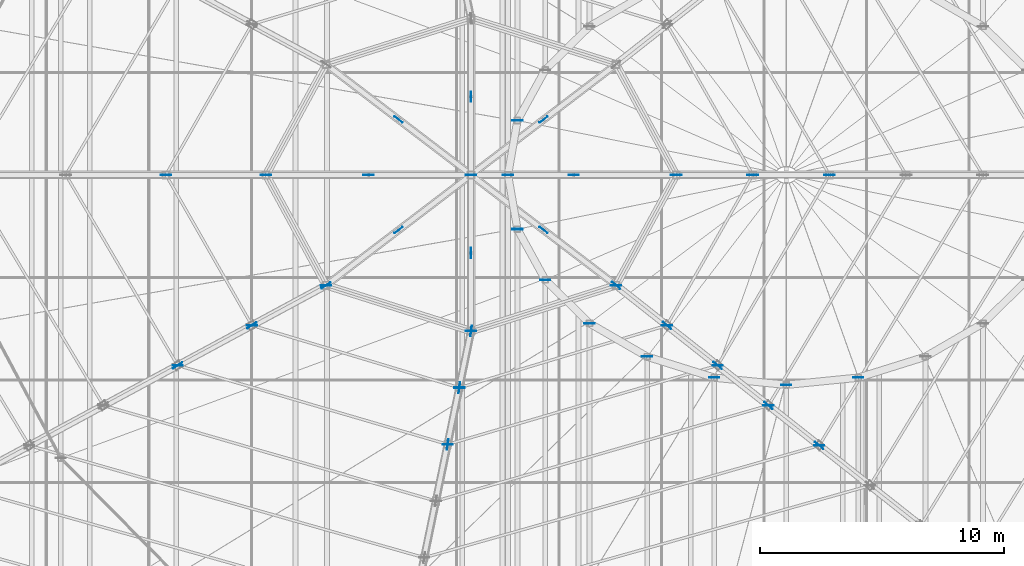
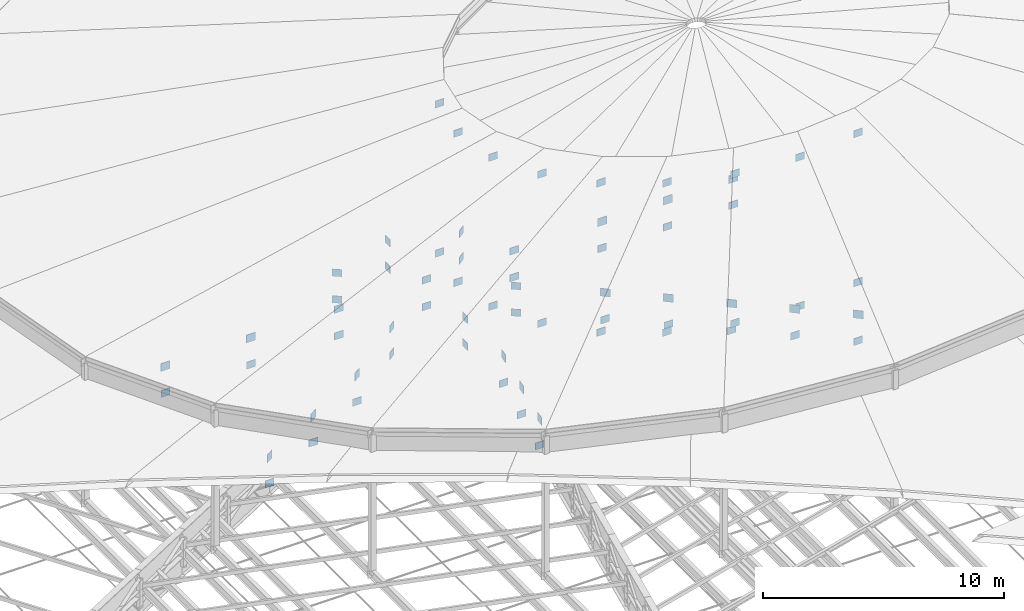
# One storey, part 167 of 184: 68 plates.
"""IFC4 building model written with IfcOpenShell, lengths in metres."""

import ifcopenshell
import ifcopenshell.guid

model = None  # the IFC model being written
_history = None  # IfcOwnerHistory: only IFC2X3 demands one
_inside = {}  # id of a spatial element -> (the spatial element, [elements in it])
_under = {}  # id of a project, library or spatial element -> (it, [spatial elements below it])
_declared = {}  # id of a project -> (the project, [libraries it declares])
_typed = {}  # id of a type object -> (the type object, [elements of that type])
_made_of = {}  # id of a material, layer set ... -> (it, [elements and type objects made of it])


def new_model(schema):
    """Start an empty IFC model of exactly this schema.

    Asked for "IFC4X3", IfcOpenShell would pick the latest addendum, in which some entities
    have other attributes; the version numbers below select the first issue.
    IFC2X3 requires an IfcOwnerHistory on every rooted entity: one is made here for all.
    """
    global model, _history
    if schema == "IFC4X3":
        model = ifcopenshell.file(schema_version=(4, 3, 0, 0))
    else:
        model = ifcopenshell.file(schema=schema)
    _inside.clear()
    _under.clear()
    _declared.clear()
    _typed.clear()
    _made_of.clear()
    _history = None
    if model.schema == "IFC2X3":
        org = make("IfcOrganization", Name="unknown")
        user = make(
            "IfcPersonAndOrganization",
            ThePerson=make("IfcPerson", FamilyName="unknown"),
            TheOrganization=org,
        )
        app = make(
            "IfcApplication",
            ApplicationDeveloper=org,
            Version="unknown",
            ApplicationFullName="unknown",
            ApplicationIdentifier="unknown",
        )
        _history = make(
            "IfcOwnerHistory",
            OwningUser=user,
            OwningApplication=app,
            ChangeAction="ADDED",
            CreationDate=0,
        )
    return model


def make(cls, **values):
    """One entity of the class cls with the attributes given. An attribute that is None is left unset."""
    return model.create_entity(
        cls, **{name: value for name, value in values.items() if value is not None}
    )


def rooted(cls, **values):
    """An entity with a GlobalId (a new one), such as an element, a storey or a relation."""
    return make(cls, GlobalId=ifcopenshell.guid.new(), OwnerHistory=_history, **values)


def si_unit(unit_type, name, prefix=None):
    """IfcSIUnit, for example si_unit("LENGTHUNIT", "METRE", prefix="MILLI")."""
    return make("IfcSIUnit", UnitType=unit_type, Prefix=prefix, Name=name)


def assignment(units):
    """IfcUnitAssignment: the units of a project."""
    return None if units is None else make("IfcUnitAssignment", Units=units)


def point(xyz):
    """IfcCartesianPoint."""
    return None if xyz is None else make("IfcCartesianPoint", Coordinates=xyz)


def direction(xyz):
    """IfcDirection."""
    return None if xyz is None else make("IfcDirection", DirectionRatios=xyz)


def frame(location, z_axis=None, x_axis=None):
    """IfcAxis2Placement3D, a coordinate frame: its origin and axes. An axis left out is left unset."""
    return make(
        "IfcAxis2Placement3D",
        Location=point(location),
        Axis=direction(z_axis),
        RefDirection=direction(x_axis),
    )


def frame_2d(location, x_axis=None):
    """IfcAxis2Placement2D, a coordinate frame in the plane: its origin and x axis."""
    return make(
        "IfcAxis2Placement2D", Location=point(location), RefDirection=direction(x_axis)
    )


def origin():
    """The frame at (0, 0, 0) with its axes left unset."""
    return frame((0.0, 0.0, 0.0))


def origin_2d():
    """The frame at (0, 0) in the plane with its x axis left unset."""
    return frame_2d((0.0, 0.0))


def place(relative_to, where):
    """IfcLocalPlacement: puts the frame where relative to a parent placement (None: the world)."""
    return make(
        "IfcLocalPlacement", PlacementRelTo=relative_to, RelativePlacement=where
    )


def context(
    kind, dimensions, precision=None, world=None, true_north=None, identifier=None
):
    """IfcGeometricRepresentationContext, for example the 3D "Model" context."""
    return make(
        "IfcGeometricRepresentationContext",
        ContextIdentifier=identifier,
        ContextType=kind,
        CoordinateSpaceDimension=dimensions,
        Precision=precision,
        WorldCoordinateSystem=world,
        TrueNorth=true_north,
    )


def subcontext(parent, identifier, kind, view, scale=None):
    """IfcGeometricRepresentationSubContext, for example "Body" below "Model"."""
    return make(
        "IfcGeometricRepresentationSubContext",
        ContextIdentifier=identifier,
        ContextType=kind,
        ParentContext=parent,
        TargetScale=scale,
        TargetView=view,
    )


def project(units=None, contexts=None):
    """IfcProject with its units and contexts."""
    return rooted(
        "IfcProject",
        Name="project",
        RepresentationContexts=contexts,
        UnitsInContext=assignment(units),
    )


def spatial(cls, under=None, at=None, **own):
    """A site, building, storey or space (cls), placed at a placement, below another one or the project."""
    s = rooted(cls, ObjectPlacement=at, **own)
    if under is not None:
        _under.setdefault(under.id(), (under, []))[1].append(s)
    return s


def profile(cls, at=None, kind="AREA", **sizes):
    """A parametric profile (cls). Its sizes go by their IFC names, for example OverallWidth=200.0."""
    return make(cls, ProfileType=kind, Position=at, **sizes)


def rectangle(**sizes):
    """IfcRectangleProfileDef."""
    return profile("IfcRectangleProfileDef", **sizes)


def extrude(swept, where, along, depth):
    """IfcExtrudedAreaSolid: the profile swept, set in the frame where, extruded along a direction by depth."""
    return make(
        "IfcExtrudedAreaSolid",
        SweptArea=swept,
        Position=where,
        ExtrudedDirection=direction(along),
        Depth=depth,
    )


def shape(context_of_items, identifier, shape_type, items):
    """IfcShapeRepresentation: the items that make up one representation, for example the "Body"."""
    return make(
        "IfcShapeRepresentation",
        ContextOfItems=context_of_items,
        RepresentationIdentifier=identifier,
        RepresentationType=shape_type,
        Items=items,
    )


def material(Name=None, Category=None):
    """IfcMaterial."""
    return make("IfcMaterial", Name=Name, Category=Category)


def layer(
    of_material, thickness, ventilated=None, Name=None, Category=None, Priority=None
):
    """IfcMaterialLayer: one layer of a wall or slab, of a material (None: an air gap)."""
    return make(
        "IfcMaterialLayer",
        Material=of_material,
        LayerThickness=thickness,
        IsVentilated=ventilated,
        Name=Name,
        Category=Category,
        Priority=Priority,
    )


def layer_set(layers, Name=None):
    """IfcMaterialLayerSet."""
    return make("IfcMaterialLayerSet", MaterialLayers=layers, LayerSetName=Name)


def made_of(thing, what):
    """Note that an element or type object is made of a material, layer set ...; save() writes the relation."""
    if what is not None:
        _made_of.setdefault(what.id(), (what, []))[1].append(thing)
    return thing


def type_object(cls, material=None, **own):
    """A type object (cls), such as IfcWallType, which elements share."""
    return made_of(rooted(cls, **own), material)


def element(
    cls,
    number,
    at=None,
    inside=None,
    cuts=None,
    type_object=None,
    material=None,
    context=None,
    identifier="Body",
    shape_type=None,
    held_by="IfcProductDefinitionShape",
    body=None,
    shapes=None,
    **own,
):
    """One element of the class cls, such as IfcWall. Its Tag is "e" and its number.

    at: its placement. inside: the storey or other place that contains it. cuts: it is an
    opening in that element (IfcRelVoidsElement). A single representation is given by context,
    identifier, shape_type and body (its items); several are given by shapes. held_by: the class
    of the entity that holds the representations. save() writes the other relations.
    """
    e = rooted(cls, Tag="e%d" % number, ObjectPlacement=at, **own)
    if body is not None:
        shapes = [shape(context, identifier, shape_type, body)]
    if shapes is not None:
        e.Representation = make(held_by, Representations=shapes)
    if inside is not None:
        _inside.setdefault(inside.id(), (inside, []))[1].append(e)
    if cuts is not None:
        rooted(
            "IfcRelVoidsElement", RelatingBuildingElement=cuts, RelatedOpeningElement=e
        )
    if type_object is not None:
        _typed.setdefault(type_object.id(), (type_object, []))[1].append(e)
    return made_of(e, material)


def aggregate(whole, parts):
    """IfcRelAggregates: a whole, such as a stair, and the parts it consists of."""
    return rooted("IfcRelAggregates", RelatingObject=whole, RelatedObjects=parts)


def save(model, path):
    """Write the relations noted so far, then the file.

    IfcRelAggregates (storeys below a building ...), IfcRelContainedInSpatialStructure (elements
    in a storey), IfcRelDefinesByType, IfcRelAssociatesMaterial and IfcRelDeclares: one each for
    every whole, place, type object, material and project.
    """
    for whole, parts in _under.values():
        aggregate(whole, parts)
    for where, things in _inside.values():
        rooted(
            "IfcRelContainedInSpatialStructure",
            RelatedElements=things,
            RelatingStructure=where,
        )
    for kind, things in _typed.values():
        rooted("IfcRelDefinesByType", RelatedObjects=things, RelatingType=kind)
    for what, things in _made_of.values():
        rooted("IfcRelAssociatesMaterial", RelatedObjects=things, RelatingMaterial=what)
    for by, libraries in _declared.values():
        rooted("IfcRelDeclares", RelatingContext=by, RelatedDefinitions=libraries)
    model.write(path)


model = new_model("IFC4")

# Units and contexts
model_context = context("Model", 3, precision=1e-05, world=origin(), true_north=direction((0.0, 1.0)))
body_context = subcontext(model_context, "Body", "Model", "MODEL_VIEW")
ifc_project = project(units=[si_unit("LENGTHUNIT", "METRE"), si_unit("AREAUNIT", "SQUARE_METRE"), si_unit("VOLUMEUNIT", "CUBIC_METRE"), si_unit("PLANEANGLEUNIT", "RADIAN"), si_unit("MASSUNIT", "GRAM", prefix="KILO")], contexts=[model_context])

# Site, building, storey
site_placement = place(None, origin())
site = spatial("IfcSite", under=ifc_project, at=site_placement, CompositionType="ELEMENT")
building_placement = place(site_placement, origin())
building = spatial("IfcBuilding", under=site, at=building_placement, Name="Kalgoora Escarpment Arena", CompositionType="ELEMENT")
storey_placement = place(building_placement, frame((0.0, 0.0, 27.60009765625)))
storey = spatial("IfcBuildingStorey", under=building, at=storey_placement, Name="Roof Level", CompositionType="ELEMENT", Elevation=27.60009765625)

# Plates
ifc_material = material(Name="Structural steel Grade 350 (350 MPa)", Category="steel")
ifc_layer = layer(ifc_material, 0.02490234375)
ifc_layer_set = layer_set([ifc_layer], Name="PLT-GUSSET-25")
plate_type = type_object("IfcPlateType", Name="PLT-GUSSET-25", PredefinedType="USERDEFINED", material=ifc_layer_set)
for number, where, z_axis, x_axis, name in (
    (1, (111.8798828125, 64.0, -0.469970703125), (0.0, 0.0, 1.0), (-1.0, 0.0, 0.0), "Radial ROOF TRUSS node gusset plate S1-9"),
    (2, (108.739990234375, 64.0, -0.4599609375), (0.0, 0.0, 1.0), (-1.0, 0.0, 0.0), "Radial ROOF TRUSS node gusset plate S1-10"),
    (3, (105.60009765625, 64.0, -0.449951171875), (0.0, 0.0, 1.0), (-1.0, 0.0, 0.0), "Radial ROOF TRUSS node gusset plate S1-11"),
    (4, (84.699951171875, 64.0, -0.4599609375), (0.0, 0.0, 1.0), (1.0, 0.0, 0.0), "Radial ROOF TRUSS node gusset plate S5-10"),
    (5, (88.800048828125, 64.0, -0.449951171875), (0.0, 0.0, 1.0), (1.0, 0.0, 0.0), "Radial ROOF TRUSS node gusset plate S5-11"),
    (6, (85.180908203125, 56.193603515625, -0.469970703125), (0.0, 0.0, 1.0), (0.84179353575, 0.539799632428, 0.0), "Radial ROOF TRUSS node gusset plate S6-9"),
    (7, (88.220703125, 57.833984375, -0.4599609375), (0.0, 0.0, 1.0), (0.84179353575, 0.539799632428, 0.0), "Radial ROOF TRUSS node gusset plate S6-10"),
    (8, (91.26025390625, 59.474609375, -0.449951171875), (0.0, 0.0, 1.0), (0.84179353575, 0.539799632428, 0.0), "Radial ROOF TRUSS node gusset plate S6-11"),
    (9, (96.239990234375, 52.9599609375, -0.469970703125), (0.0, 0.0, 1.0), (0.141419587774, 0.989949746297, 0.0), "Radial ROOF TRUSS node gusset plate S7-9"),
    (10, (96.719970703125, 55.280029296875, -0.4599609375), (0.0, 0.0, 1.0), (0.141419587774, 0.989949746297, 0.0), "Radial ROOF TRUSS node gusset plate S7-10"),
    (11, (97.199951171875, 57.60009765625, -0.449951171875), (0.0, 0.0, 1.0), (0.141419587774, 0.989949746297, 0.0), "Radial ROOF TRUSS node gusset plate S7-11"),
    (12, (111.45849609375, 52.91259765625, -0.489990234375), (0.0, 0.0, 1.0), (-0.756081970773, 0.6544769312, 0.0), "Radial ROOF TRUSS node gusset plate S8-7"),
    (13, (109.37890625, 54.552978515625, -0.47998046875), (0.0, 0.0, 1.0), (-0.756081970773, 0.6544769312, 0.0), "Radial ROOF TRUSS node gusset plate S8-8"),
    (14, (107.29931640625, 56.193603515625, -0.469970703125), (0.0, 0.0, 1.0), (-0.756081970773, 0.6544769312, 0.0), "Radial ROOF TRUSS node gusset plate S8-9"),
    (15, (105.219482421875, 57.833984375, -0.4599609375), (0.0, 0.0, 1.0), (-0.756081970773, 0.6544769312, 0.0), "Radial ROOF TRUSS node gusset plate S8-10"),
    (16, (103.1396484375, 59.474609375, -0.449951171875), (0.0, 0.0, 1.0), (-0.756081970773, 0.6544769312, 0.0), "Radial ROOF TRUSS node gusset plate S8-11"),
):
    element("IfcPlate", number, at=place(storey_placement, frame(where, z_axis=z_axis, x_axis=x_axis)), inside=storey, type_object=plate_type, Name=name, ObjectType="FLANGE PLATE", PredefinedType="USERDEFINED", context=body_context, shape_type="SweptSolid", body=[
        extrude(rectangle(XDim=0.43994140625, YDim=0.02490234375, at=origin_2d()), origin(), (0.0, 0.0, 1.0), 0.39990234375),
    ])
for number, where, z_axis, x_axis, name in (
    (17, (97.199951171875, 64.0, -1.7802734375), (0.0, 0.0, 1.0), (1.0, 0.0, 0.0), "Brace and post end gusset plate 041"),
    (18, (97.199951171875, 64.0, -0.43017578125), (0.0, 0.0, 1.0), (1.0, 0.0, 0.0), "Brace and post end gusset plate 042"),
    (19, (105.60009765625, 64.0, -1.7802734375), (0.0, 0.0, 1.0), (-1.0, 0.0, 0.0), "Brace and post end gusset plate 043"),
    (20, (101.39990234375, 64.0, -0.43017578125), (0.0, 0.0, 1.0), (-1.0, 0.0, 0.0), "Brace and post end gusset plate 044"),
    (21, (101.39990234375, 64.0, -1.7802734375), (0.0, 0.0, 1.0), (-1.0, 0.0, 0.0), "Brace and post end gusset plate 045"),
    (22, (93.0, 64.0, -0.43017578125), (0.0, 0.0, 1.0), (-1.0, 0.0, 0.0), "Brace and post end gusset plate 046"),
    (23, (93.0, 64.0, -1.7802734375), (0.0, 0.0, 1.0), (-1.0, 0.0, 0.0), "Brace and post end gusset plate 047"),
    (24, (100.169921875, 66.2626953125, -0.43017578125), (0.0, 0.0, 1.0), (-0.795473480855, -0.605988400266, 0.0), "Brace and post end gusset plate 049"),
    (25, (100.169921875, 66.2626953125, -1.7802734375), (0.0, 0.0, 1.0), (-0.795473480855, -0.605988400266, 0.0), "Brace and post end gusset plate 050"),
    (26, (94.230224609375, 61.7373046875, -0.43017578125), (0.0, 0.0, 1.0), (-0.795473480855, -0.605988400266, 0.0), "Brace and post end gusset plate 051"),
    (27, (94.230224609375, 61.7373046875, -1.7802734375), (0.0, 0.0, 1.0), (-0.795473480855, -0.605988400266, 0.0), "Brace and post end gusset plate 052"),
    (28, (97.199951171875, 67.199951171875, -0.43017578125), (0.0, 0.0, 1.0), (0.0, -1.0, 0.0), "Brace and post end gusset plate 054"),
    (29, (97.199951171875, 67.199951171875, -1.7802734375), (0.0, 0.0, 1.0), (0.0, -1.0, 0.0), "Brace and post end gusset plate 055"),
    (30, (97.199951171875, 60.800048828125, -0.43017578125), (0.0, 0.0, 1.0), (0.0, -1.0, 0.0), "Brace and post end gusset plate 056"),
    (31, (97.199951171875, 60.800048828125, -1.7802734375), (0.0, 0.0, 1.0), (0.0, -1.0, 0.0), "Brace and post end gusset plate 057"),
    (32, (94.230224609375, 66.2626953125, -0.43017578125), (0.0, 0.0, 1.0), (0.795473480855, -0.605988400266, 0.0), "Brace and post end gusset plate 059"),
    (33, (94.230224609375, 66.2626953125, -1.7802734375), (0.0, 0.0, 1.0), (0.795473480855, -0.605988400266, 0.0), "Brace and post end gusset plate 060"),
    (34, (100.169921875, 61.7373046875, -0.43017578125), (0.0, 0.0, 1.0), (0.795473480855, -0.605988400266, 0.0), "Brace and post end gusset plate 061"),
    (35, (100.169921875, 61.7373046875, -1.7802734375), (0.0, 0.0, 1.0), (0.795473480855, -0.605988400266, 0.0), "Brace and post end gusset plate 062"),
    (36, (88.800048828125, 64.0, -1.7802734375), (0.0, 0.0, 1.0), (1.0, 0.0, 0.0), "Brace and post end gusset plate 063"),
    (37, (91.26025390625, 59.474609375, -1.7802734375), (0.0, 0.0, 1.0), (1.0, 0.0, 0.0), "Brace and post end gusset plate 064"),
    (38, (97.199951171875, 57.60009765625, -1.7802734375), (0.0, 0.0, 1.0), (1.0, 0.0, 0.0), "Brace and post end gusset plate 065"),
    (39, (103.1396484375, 59.474609375, -1.7802734375), (0.0, 0.0, 1.0), (1.0, 0.0, 0.0), "Brace and post end gusset plate 066"),
    (40, (111.8798828125, 64.0, -1.7900390625), (0.0, 0.0, 1.0), (1.0, 0.0, 0.0), "Brace and post end gusset plate 076"),
    (41, (108.739990234375, 64.0, -1.78515625), (0.0, 0.0, 1.0), (1.0, 0.0, 0.0), "Brace and post end gusset plate 077"),
    (42, (84.699951171875, 64.0, -1.78515625), (0.0, 0.0, 1.0), (1.0, 0.0, 0.0), "Brace and post end gusset plate 121"),
    (43, (85.180908203125, 56.193603515625, -1.7900390625), (0.0, 0.0, 1.0), (1.0, 0.0, 0.0), "Brace and post end gusset plate 131"),
    (44, (88.220703125, 57.833984375, -1.78515625), (0.0, 0.0, 1.0), (1.0, 0.0, 0.0), "Brace and post end gusset plate 132"),
    (45, (96.239990234375, 52.9599609375, -1.7900390625), (0.0, 0.0, 1.0), (1.0, 0.0, 0.0), "Brace and post end gusset plate 142"),
    (46, (96.719970703125, 55.280029296875, -1.78515625), (0.0, 0.0, 1.0), (1.0, 0.0, 0.0), "Brace and post end gusset plate 143"),
    (47, (111.45849609375, 52.91259765625, -1.80029296875), (0.0, 0.0, 1.0), (1.0, 0.0, 0.0), "Brace and post end gusset plate 151"),
    (48, (109.37890625, 54.552978515625, -1.794921875), (0.0, 0.0, 1.0), (1.0, 0.0, 0.0), "Brace and post end gusset plate 152"),
    (49, (107.29931640625, 56.193603515625, -1.7900390625), (0.0, 0.0, 1.0), (1.0, 0.0, 0.0), "Brace and post end gusset plate 153"),
    (50, (105.219482421875, 57.833984375, -1.78515625), (0.0, 0.0, 1.0), (1.0, 0.0, 0.0), "Brace and post end gusset plate 154"),
    (51, (99.098388671875, 66.225830078125, -1.080078125), (0.0, 0.0, 1.0), (1.0, 0.0, 0.0), "Brace and post end gusset plate 344"),
    (52, (99.098388671875, 66.225830078125, 6.4697265625), (0.0, 0.0, 1.0), (1.0, 0.0, 0.0), "Brace and post end gusset plate 345"),
    (53, (98.7099609375, 64.0, -1.080078125), (0.0, 0.0, 1.0), (1.0, 0.0, 0.0), "Brace and post end gusset plate 346"),
    (54, (98.7099609375, 64.0, 6.4697265625), (0.0, 0.0, 1.0), (1.0, 0.0, 0.0), "Brace and post end gusset plate 347"),
    (55, (99.098388671875, 61.774169921875, -1.080078125), (0.0, 0.0, 1.0), (1.0, 0.0, 0.0), "Brace and post end gusset plate 348"),
    (56, (99.098388671875, 61.774169921875, 6.4697265625), (0.0, 0.0, 1.0), (1.0, 0.0, 0.0), "Brace and post end gusset plate 349"),
    (57, (100.2373046875, 59.699951171875, -1.080078125), (0.0, 0.0, 1.0), (1.0, 0.0, 0.0), "Brace and post end gusset plate 350"),
    (58, (100.2373046875, 59.699951171875, 6.4697265625), (0.0, 0.0, 1.0), (1.0, 0.0, 0.0), "Brace and post end gusset plate 351"),
    (59, (102.049072265625, 57.9189453125, -1.080078125), (0.0, 0.0, 1.0), (1.0, 0.0, 0.0), "Brace and post end gusset plate 352"),
    (60, (102.049072265625, 57.9189453125, 6.4697265625), (0.0, 0.0, 1.0), (1.0, 0.0, 0.0), "Brace and post end gusset plate 353"),
    (61, (104.409912109375, 56.55224609375, -1.080078125), (0.0, 0.0, 1.0), (1.0, 0.0, 0.0), "Brace and post end gusset plate 354"),
    (62, (104.409912109375, 56.55224609375, 6.4697265625), (0.0, 0.0, 1.0), (1.0, 0.0, 0.0), "Brace and post end gusset plate 355"),
    (63, (107.159423828125, 55.693115234375, -1.080078125), (0.0, 0.0, 1.0), (1.0, 0.0, 0.0), "Brace and post end gusset plate 356"),
    (64, (107.159423828125, 55.693115234375, 6.4697265625), (0.0, 0.0, 1.0), (1.0, 0.0, 0.0), "Brace and post end gusset plate 357"),
    (65, (110.110107421875, 55.39990234375, -1.080078125), (0.0, 0.0, 1.0), (1.0, 0.0, 0.0), "Brace and post end gusset plate 358"),
    (66, (110.110107421875, 55.39990234375, 6.4697265625), (0.0, 0.0, 1.0), (1.0, 0.0, 0.0), "Brace and post end gusset plate 359"),
    (67, (113.060546875, 55.693115234375, -1.080078125), (0.0, 0.0, 1.0), (1.0, 0.0, 0.0), "Brace and post end gusset plate 360"),
    (68, (113.060546875, 55.693115234375, 6.4697265625), (0.0, 0.0, 1.0), (1.0, 0.0, 0.0), "Brace and post end gusset plate 361"),
):
    element("IfcPlate", number, at=place(storey_placement, frame(where, z_axis=z_axis, x_axis=x_axis)), inside=storey, type_object=plate_type, Name=name, ObjectType="FLANGE PLATE", PredefinedType="USERDEFINED", context=body_context, shape_type="SweptSolid", body=[
        extrude(rectangle(XDim=0.419921875, YDim=0.02490234375, at=origin_2d()), origin(), (0.0, 0.0, 1.0), 0.360107421875),
    ])

save(model, "model.ifc")
